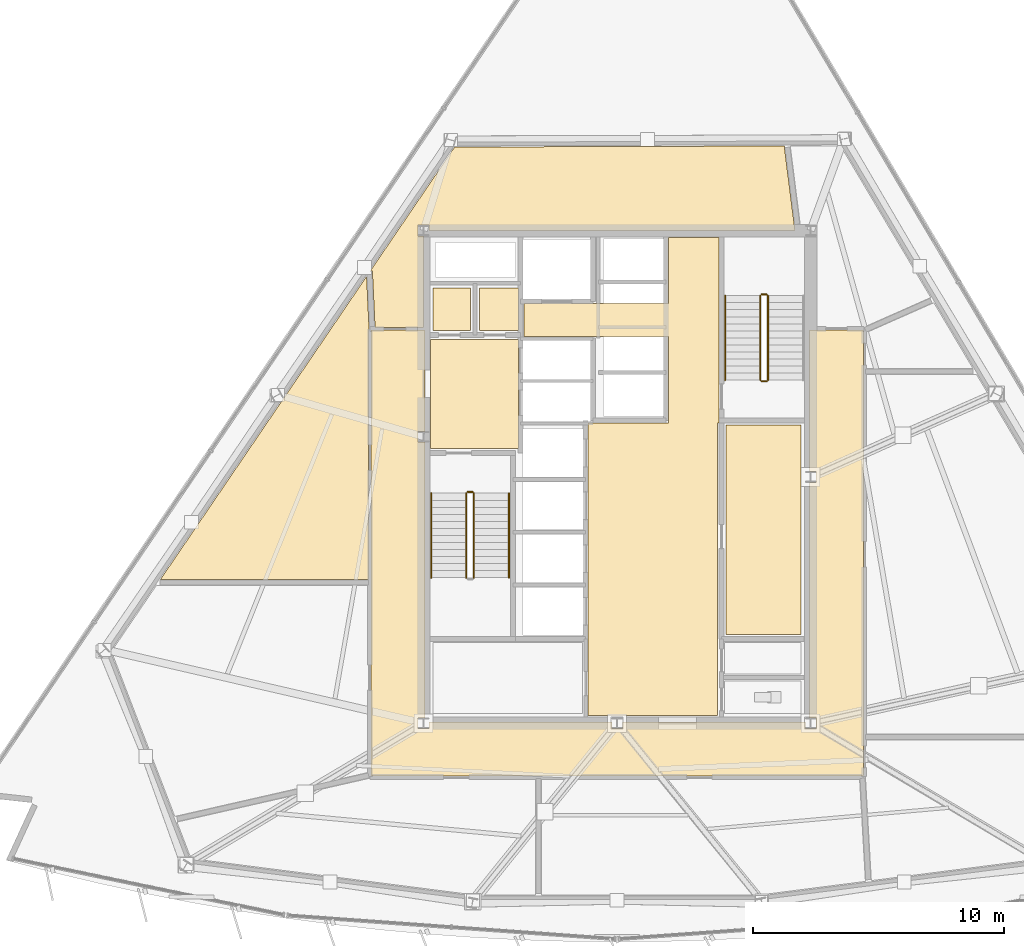
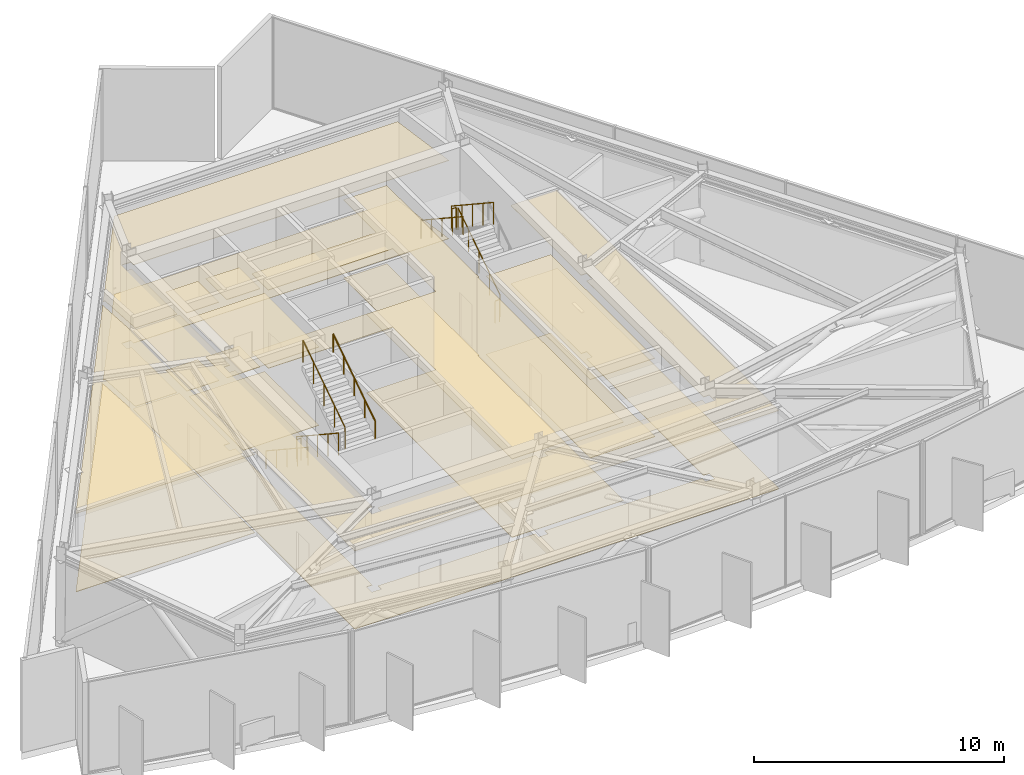
# One storey, part 12 of 14: 16 coverings, 10 railings.
"""IFC4 building model written with IfcOpenShell, lengths in metres."""

from ifc_helpers import new_model, si_unit, direction, frame, origin, origin_2d, place, context, subcontext, project, spatial, polyline, circle, outline, extrude, material, layer, layer_set, type_object, element, save


model = new_model("IFC4")

# Units and contexts
model_context = context("Model", 3, precision=1e-05, world=origin(), true_north=direction((0.0, 1.0)))
body_context = subcontext(model_context, "Body", "Model", "MODEL_VIEW")
ifc_project = project(units=[si_unit("LENGTHUNIT", "METRE"), si_unit("AREAUNIT", "SQUARE_METRE"), si_unit("VOLUMEUNIT", "CUBIC_METRE"), si_unit("PLANEANGLEUNIT", "RADIAN"), si_unit("MASSUNIT", "GRAM", prefix="KILO")], contexts=[model_context])

# Site, building, storey
site_placement = place(None, origin())
site = spatial("IfcSite", under=ifc_project, at=site_placement, CompositionType="ELEMENT")
building_placement = place(site_placement, origin())
building = spatial("IfcBuilding", under=site, at=building_placement, Name="Savorim Split Tower", CompositionType="ELEMENT")
storey_placement = place(building_placement, frame((0.0, 0.0, 185.39990234375)))
storey = spatial("IfcBuildingStorey", under=building, at=storey_placement, Name="L49", CompositionType="ELEMENT", Elevation=185.39990234375)

# Coverings
ifc_material_1 = material(Name="Mineral Fibre Acoustic Ceiling")
ifc_layer_1 = layer(ifc_material_1, 0.02490234375)
ifc_layer_set_1 = layer_set([ifc_layer_1], Name="COV-CEIL-25")
covering_type_1 = type_object("IfcCoveringType", Name="COV-CEIL-25", PredefinedType="CEILING", material=ifc_layer_set_1)
covering_1_placement = place(storey_placement, frame((0.0, 0.0, 3.820068359375)))
element("IfcCovering", 1, at=covering_1_placement, inside=storey, type_object=covering_type_1, Name="L49 Firefighting Lift Lobby Acoustic Ceiling", PredefinedType="CEILING", context=body_context, shape_type="SweptSolid", body=[
    extrude(outline(polyline([(-7.429931640625, 5.8701171875), (-7.429931640625, 1.530029296875), (-3.929931640625, 1.530029296875), (-3.929931640625, 5.8701171875), (-7.429931640625, 5.8701171875)])), origin(), (0.0, 0.0, 1.0), 0.025146484375),
])
covering_2_placement = place(storey_placement, frame((0.0, 0.0, 3.820068359375)))
element("IfcCovering", 2, at=covering_2_placement, inside=storey, type_object=covering_type_1, Name="L49 Electrical Riser Acoustic Ceiling", PredefinedType="CEILING", context=body_context, shape_type="SweptSolid", body=[
    extrude(outline(polyline([(-7.320068359375, 7.919921875), (-7.320068359375, 6.22998046875), (-5.830078125, 6.22998046875), (-5.830078125, 7.919921875), (-7.320068359375, 7.919921875)])), origin(), (0.0, 0.0, 1.0), 0.025146484375),
])
covering_3_placement = place(storey_placement, frame((0.0, 0.0, 3.820068359375)))
element("IfcCovering", 3, at=covering_3_placement, inside=storey, type_object=covering_type_1, Name="L49 Telecom Riser Acoustic Ceiling", PredefinedType="CEILING", context=body_context, shape_type="SweptSolid", body=[
    extrude(outline(polyline([(-5.469970703125, 7.919921875), (-5.469970703125, 6.22998046875), (-3.929931640625, 6.22998046875), (-3.929931640625, 7.919921875), (-5.469970703125, 7.919921875)])), origin(), (0.0, 0.0, 1.0), 0.025146484375),
])
covering_4_placement = place(storey_placement, frame((0.0, 0.0, 3.820068359375)))
element("IfcCovering", 4, at=covering_4_placement, inside=storey, type_object=covering_type_1, Name="L49 Lift Lobby Acoustic Ceiling", PredefinedType="CEILING", context=body_context, shape_type="SweptSolid", body=[
    extrude(outline(polyline([(2.050048828125, 2.550048828125), (-1.14990234375, 2.550048828125), (-1.14990234375, -9.10009765625), (4.0, -9.10009765625), (4.0, 2.550048828125), (4.050048828125, 2.550048828125), (4.050048828125, 5.97998046875), (4.050048828125, 7.300048828125), (4.050048828125, 9.929931640625), (2.050048828125, 9.929931640625), (2.050048828125, 7.300048828125), (-3.699951171875, 7.300048828125), (-3.699951171875, 5.97998046875), (2.050048828125, 5.97998046875), (2.050048828125, 2.550048828125)])), origin(), (0.0, 0.0, 1.0), 0.025146484375),
])
covering_5_placement = place(storey_placement, frame((0.0, 0.0, 3.820068359375)))
element("IfcCovering", 5, at=covering_5_placement, inside=storey, type_object=covering_type_1, Name="L49 Booster Transfer Plant Room Acoustic Ceiling", PredefinedType="CEILING", context=body_context, shape_type="SweptSolid", body=[
    extrude(outline(polyline([(4.330078125, 2.469970703125), (4.330078125, -5.8701171875), (7.320068359375, -5.8701171875), (7.320068359375, 2.469970703125), (4.330078125, 2.469970703125)])), origin(), (0.0, 0.0, 1.0), 0.025146484375),
])
covering_6_placement = place(storey_placement, frame((0.0, 0.0, 3.820068359375)))
element("IfcCovering", 6, at=covering_6_placement, inside=storey, type_object=covering_type_1, Name="L49 Plant Corridor Acoustic Ceiling", PredefinedType="CEILING", context=body_context, shape_type="SweptSolid", body=[
    extrude(outline(polyline([(7.912109375, 0.1865234375), (7.64990234375, 0.1865234375), (7.64990234375, -9.1865234375), (7.912109375, -9.1865234375), (7.912109375, -9.613525390625), (7.488037109375, -9.613525390625), (7.488037109375, -9.35009765625), (0.2119140625, -9.35009765625), (0.2119140625, -9.613525390625), (-0.2119140625, -9.613525390625), (-0.2119140625, -9.35009765625), (-7.488037109375, -9.35009765625), (-7.488037109375, -9.613525390625), (-7.912109375, -9.613525390625), (-7.912109375, -9.1865234375), (-7.64990234375, -9.1865234375), (-7.64990234375, 1.78662109375), (-7.912109375, 1.78662109375), (-7.912109375, 2.21337890625), (-7.64990234375, 2.21337890625), (-7.64990234375, 6.199951171875), (-7.650146484375, 6.204833984375), (-7.65087890625, 6.209716796875), (-7.652099609375, 6.214599609375), (-7.65380859375, 6.218994140625), (-7.656005859375, 6.2236328125), (-7.658447265625, 6.227783203125), (-7.661376953125, 6.231689453125), (-7.66455078125, 6.2353515625), (-7.668212890625, 6.23876953125), (-7.672119140625, 6.24169921875), (-7.676513671875, 6.244140625), (-7.680908203125, 6.24609375), (-7.685546875, 6.247802734375), (-7.690185546875, 6.2490234375), (-7.695068359375, 6.249755859375), (-7.699951171875, 6.25), (-9.75, 6.25), (-9.7548828125, 6.249755859375), (-9.759765625, 6.2490234375), (-9.764404296875, 6.247802734375), (-9.76904296875, 6.24609375), (-9.773681640625, 6.244140625), (-9.77783203125, 6.24169921875), (-9.78173828125, 6.23876953125), (-9.785400390625, 6.2353515625), (-9.788818359375, 6.231689453125), (-9.79150390625, 6.227783203125), (-9.794189453125, 6.2236328125), (-9.796142578125, 6.218994140625), (-9.7978515625, 6.214599609375), (-9.799072265625, 6.209716796875), (-9.7998046875, 6.204833984375), (-9.800048828125, 6.199951171875), (-9.800048828125, -11.449951171875), (-9.7998046875, -11.454833984375), (-9.799072265625, -11.459716796875), (-9.7978515625, -11.464599609375), (-9.796142578125, -11.468994140625), (-9.794189453125, -11.4736328125), (-9.79150390625, -11.477783203125), (-9.788818359375, -11.481689453125), (-9.785400390625, -11.4853515625), (-9.78173828125, -11.48876953125), (-9.77783203125, -11.49169921875), (-9.773681640625, -11.494140625), (-9.76904296875, -11.49609375), (-9.764404296875, -11.497802734375), (-9.759765625, -11.4990234375), (-9.7548828125, -11.499755859375), (-9.75, -11.5), (9.75, -11.5), (9.7548828125, -11.499755859375), (9.759765625, -11.4990234375), (9.764404296875, -11.497802734375), (9.76904296875, -11.49609375), (9.773681640625, -11.494140625), (9.77783203125, -11.49169921875), (9.78173828125, -11.48876953125), (9.785400390625, -11.4853515625), (9.788818359375, -11.481689453125), (9.79150390625, -11.477783203125), (9.794189453125, -11.4736328125), (9.796142578125, -11.468994140625), (9.7978515625, -11.464599609375), (9.799072265625, -11.459716796875), (9.7998046875, -11.454833984375), (9.800048828125, -11.449951171875), (9.800048828125, 6.199951171875), (9.7998046875, 6.204833984375), (9.799072265625, 6.209716796875), (9.7978515625, 6.214599609375), (9.796142578125, 6.218994140625), (9.794189453125, 6.2236328125), (9.79150390625, 6.227783203125), (9.788818359375, 6.231689453125), (9.785400390625, 6.2353515625), (9.78173828125, 6.23876953125), (9.77783203125, 6.24169921875), (9.773681640625, 6.244140625), (9.76904296875, 6.24609375), (9.764404296875, 6.247802734375), (9.759765625, 6.2490234375), (9.7548828125, 6.249755859375), (9.75, 6.25), (7.699951171875, 6.25), (7.695068359375, 6.249755859375), (7.690185546875, 6.2490234375), (7.685546875, 6.247802734375), (7.680908203125, 6.24609375), (7.676513671875, 6.244140625), (7.672119140625, 6.24169921875), (7.668212890625, 6.23876953125), (7.66455078125, 6.2353515625), (7.661376953125, 6.231689453125), (7.658447265625, 6.227783203125), (7.656005859375, 6.2236328125), (7.65380859375, 6.218994140625), (7.652099609375, 6.214599609375), (7.65087890625, 6.209716796875), (7.650146484375, 6.204833984375), (7.64990234375, 6.199951171875), (7.64990234375, 0.613525390625), (7.912109375, 0.613525390625), (7.912109375, 0.1865234375)])), origin(), (0.0, 0.0, 1.0), 0.025146484375),
])
covering_7_placement = place(storey_placement, frame((0.0, 0.0, 3.820068359375)))
element("IfcCovering", 7, at=covering_7_placement, inside=storey, type_object=covering_type_1, Name="L49 AHU Mechanical Plant Room 1 Acoustic Ceiling", PredefinedType="CEILING", context=body_context, shape_type="SweptSolid", body=[
    extrude(outline(polyline([(-9.87353515625, 6.26611328125), (-9.8671875, 6.276611328125), (-9.966796875, 8.376220703125), (-13.290283203125, 3.490478515625), (-13.31298828125, 3.45751953125), (-13.31298828125, 3.444580078125), (-13.32177734375, 3.444580078125), (-18.16357421875, -3.673095703125), (-9.889892578125, -3.673095703125), (-9.889892578125, 6.199951171875), (-9.889404296875, 6.213623046875), (-9.88720703125, 6.227294921875), (-9.884033203125, 6.240478515625), (-9.87939453125, 6.253662109375), (-9.87353515625, 6.26611328125)])), origin(), (0.0, 0.0, 1.0), 0.025146484375),
])
covering_8_placement = place(storey_placement, frame((0.0, 0.0, 3.820068359375)))
element("IfcCovering", 8, at=covering_8_placement, inside=storey, type_object=covering_type_1, Name="L49 Booster Pump Plant Room 1 Acoustic Ceiling", PredefinedType="CEILING", context=body_context, shape_type="SweptSolid", body=[
    extrude(outline(polyline([(6.6572265625, 13.5), (6.64892578125, 13.564697265625), (-6.465087890625, 13.523681640625), (-9.82861328125, 8.579345703125), (-9.736328125, 8.583740234375), (-9.630126953125, 6.345703125), (-9.6298828125, 6.340087890625), (-7.699951171875, 6.340087890625), (-7.699951171875, 9.986572265625), (-7.912109375, 9.986572265625), (-7.912109375, 10.41357421875), (-7.488037109375, 10.41357421875), (-7.488037109375, 10.199951171875), (7.07568359375, 10.199951171875), (6.6572265625, 13.5)])), origin(), (0.0, 0.0, 1.0), 0.025146484375),
])
ifc_material_2 = material(Name="Porcelain Stoneware Flooring", Category="masonry")
ifc_layer_2 = layer(ifc_material_2, 0.02001953125)
ifc_layer_set_2 = layer_set([ifc_layer_2], Name="COV-FLOR-20")
covering_type_2 = type_object("IfcCoveringType", Name="COV-FLOR-20", PredefinedType="FLOORING", material=ifc_layer_set_2)
covering_9_placement = place(storey_placement, origin())
element("IfcCovering", 9, at=covering_9_placement, inside=storey, type_object=covering_type_2, Name="L49 Firefighting Lift Lobby Porcelain Flooring", PredefinedType="FLOORING", context=body_context, shape_type="SweptSolid", body=[
    extrude(outline(polyline([(-7.429931640625, 5.8701171875), (-7.429931640625, 1.530029296875), (-3.929931640625, 1.530029296875), (-3.929931640625, 5.8701171875), (-7.429931640625, 5.8701171875)])), origin(), (0.0, 0.0, 1.0), 0.02001953125),
])
covering_10_placement = place(storey_placement, origin())
element("IfcCovering", 10, at=covering_10_placement, inside=storey, type_object=covering_type_2, Name="L49 Electrical Riser Porcelain Flooring", PredefinedType="FLOORING", context=body_context, shape_type="SweptSolid", body=[
    extrude(outline(polyline([(-7.320068359375, 7.919921875), (-7.320068359375, 6.22998046875), (-5.830078125, 6.22998046875), (-5.830078125, 7.919921875), (-7.320068359375, 7.919921875)])), origin(), (0.0, 0.0, 1.0), 0.02001953125),
])
covering_11_placement = place(storey_placement, origin())
element("IfcCovering", 11, at=covering_11_placement, inside=storey, type_object=covering_type_2, Name="L49 Telecom Riser Porcelain Flooring", PredefinedType="FLOORING", context=body_context, shape_type="SweptSolid", body=[
    extrude(outline(polyline([(-5.469970703125, 7.919921875), (-5.469970703125, 6.22998046875), (-3.929931640625, 6.22998046875), (-3.929931640625, 7.919921875), (-5.469970703125, 7.919921875)])), origin(), (0.0, 0.0, 1.0), 0.02001953125),
])
covering_12_placement = place(storey_placement, origin())
element("IfcCovering", 12, at=covering_12_placement, inside=storey, type_object=covering_type_2, Name="L49 Lift Lobby Porcelain Flooring", PredefinedType="FLOORING", context=body_context, shape_type="SweptSolid", body=[
    extrude(outline(polyline([(2.050048828125, 2.550048828125), (-1.14990234375, 2.550048828125), (-1.14990234375, -9.10009765625), (4.0, -9.10009765625), (4.0, 2.550048828125), (4.050048828125, 2.550048828125), (4.050048828125, 5.97998046875), (4.050048828125, 7.300048828125), (4.050048828125, 9.929931640625), (2.050048828125, 9.929931640625), (2.050048828125, 7.300048828125), (-3.699951171875, 7.300048828125), (-3.699951171875, 5.97998046875), (2.050048828125, 5.97998046875), (2.050048828125, 2.550048828125)])), origin(), (0.0, 0.0, 1.0), 0.02001953125),
])
covering_13_placement = place(storey_placement, origin())
element("IfcCovering", 13, at=covering_13_placement, inside=storey, type_object=covering_type_2, Name="L49 Booster Transfer Plant Room Porcelain Flooring", PredefinedType="FLOORING", context=body_context, shape_type="SweptSolid", body=[
    extrude(outline(polyline([(4.330078125, 2.469970703125), (4.330078125, -5.8701171875), (7.320068359375, -5.8701171875), (7.320068359375, 2.469970703125), (4.330078125, 2.469970703125)])), origin(), (0.0, 0.0, 1.0), 0.02001953125),
])
covering_14_placement = place(storey_placement, origin())
element("IfcCovering", 14, at=covering_14_placement, inside=storey, type_object=covering_type_2, Name="L49 Plant Corridor Porcelain Flooring", PredefinedType="FLOORING", context=body_context, shape_type="SweptSolid", body=[
    extrude(outline(polyline([(7.912109375, 0.1865234375), (7.64990234375, 0.1865234375), (7.64990234375, -9.1865234375), (7.912109375, -9.1865234375), (7.912109375, -9.613525390625), (7.488037109375, -9.613525390625), (7.488037109375, -9.35009765625), (0.2119140625, -9.35009765625), (0.2119140625, -9.613525390625), (-0.2119140625, -9.613525390625), (-0.2119140625, -9.35009765625), (-7.488037109375, -9.35009765625), (-7.488037109375, -9.613525390625), (-7.912109375, -9.613525390625), (-7.912109375, -9.1865234375), (-7.64990234375, -9.1865234375), (-7.64990234375, 1.78662109375), (-7.912109375, 1.78662109375), (-7.912109375, 2.21337890625), (-7.64990234375, 2.21337890625), (-7.64990234375, 6.199951171875), (-7.650146484375, 6.204833984375), (-7.65087890625, 6.209716796875), (-7.652099609375, 6.214599609375), (-7.65380859375, 6.218994140625), (-7.656005859375, 6.2236328125), (-7.658447265625, 6.227783203125), (-7.661376953125, 6.231689453125), (-7.66455078125, 6.2353515625), (-7.668212890625, 6.23876953125), (-7.672119140625, 6.24169921875), (-7.676513671875, 6.244140625), (-7.680908203125, 6.24609375), (-7.685546875, 6.247802734375), (-7.690185546875, 6.2490234375), (-7.695068359375, 6.249755859375), (-7.699951171875, 6.25), (-9.75, 6.25), (-9.7548828125, 6.249755859375), (-9.759765625, 6.2490234375), (-9.764404296875, 6.247802734375), (-9.76904296875, 6.24609375), (-9.773681640625, 6.244140625), (-9.77783203125, 6.24169921875), (-9.78173828125, 6.23876953125), (-9.785400390625, 6.2353515625), (-9.788818359375, 6.231689453125), (-9.79150390625, 6.227783203125), (-9.794189453125, 6.2236328125), (-9.796142578125, 6.218994140625), (-9.7978515625, 6.214599609375), (-9.799072265625, 6.209716796875), (-9.7998046875, 6.204833984375), (-9.800048828125, 6.199951171875), (-9.800048828125, -11.449951171875), (-9.7998046875, -11.454833984375), (-9.799072265625, -11.459716796875), (-9.7978515625, -11.464599609375), (-9.796142578125, -11.468994140625), (-9.794189453125, -11.4736328125), (-9.79150390625, -11.477783203125), (-9.788818359375, -11.481689453125), (-9.785400390625, -11.4853515625), (-9.78173828125, -11.48876953125), (-9.77783203125, -11.49169921875), (-9.773681640625, -11.494140625), (-9.76904296875, -11.49609375), (-9.764404296875, -11.497802734375), (-9.759765625, -11.4990234375), (-9.7548828125, -11.499755859375), (-9.75, -11.5), (9.75, -11.5), (9.7548828125, -11.499755859375), (9.759765625, -11.4990234375), (9.764404296875, -11.497802734375), (9.76904296875, -11.49609375), (9.773681640625, -11.494140625), (9.77783203125, -11.49169921875), (9.78173828125, -11.48876953125), (9.785400390625, -11.4853515625), (9.788818359375, -11.481689453125), (9.79150390625, -11.477783203125), (9.794189453125, -11.4736328125), (9.796142578125, -11.468994140625), (9.7978515625, -11.464599609375), (9.799072265625, -11.459716796875), (9.7998046875, -11.454833984375), (9.800048828125, -11.449951171875), (9.800048828125, 6.199951171875), (9.7998046875, 6.204833984375), (9.799072265625, 6.209716796875), (9.7978515625, 6.214599609375), (9.796142578125, 6.218994140625), (9.794189453125, 6.2236328125), (9.79150390625, 6.227783203125), (9.788818359375, 6.231689453125), (9.785400390625, 6.2353515625), (9.78173828125, 6.23876953125), (9.77783203125, 6.24169921875), (9.773681640625, 6.244140625), (9.76904296875, 6.24609375), (9.764404296875, 6.247802734375), (9.759765625, 6.2490234375), (9.7548828125, 6.249755859375), (9.75, 6.25), (7.699951171875, 6.25), (7.695068359375, 6.249755859375), (7.690185546875, 6.2490234375), (7.685546875, 6.247802734375), (7.680908203125, 6.24609375), (7.676513671875, 6.244140625), (7.672119140625, 6.24169921875), (7.668212890625, 6.23876953125), (7.66455078125, 6.2353515625), (7.661376953125, 6.231689453125), (7.658447265625, 6.227783203125), (7.656005859375, 6.2236328125), (7.65380859375, 6.218994140625), (7.652099609375, 6.214599609375), (7.65087890625, 6.209716796875), (7.650146484375, 6.204833984375), (7.64990234375, 6.199951171875), (7.64990234375, 0.613525390625), (7.912109375, 0.613525390625), (7.912109375, 0.1865234375)])), origin(), (0.0, 0.0, 1.0), 0.02001953125),
])
covering_15_placement = place(storey_placement, origin())
element("IfcCovering", 15, at=covering_15_placement, inside=storey, type_object=covering_type_2, Name="L49 AHU Mechanical Plant Room 1 Porcelain Flooring", PredefinedType="FLOORING", context=body_context, shape_type="SweptSolid", body=[
    extrude(outline(polyline([(-9.87353515625, 6.26611328125), (-9.8671875, 6.276611328125), (-9.966796875, 8.376220703125), (-13.290283203125, 3.490478515625), (-13.31298828125, 3.45751953125), (-13.31298828125, 3.444580078125), (-13.32177734375, 3.444580078125), (-18.16357421875, -3.673095703125), (-9.889892578125, -3.673095703125), (-9.889892578125, 6.199951171875), (-9.889404296875, 6.213623046875), (-9.88720703125, 6.227294921875), (-9.884033203125, 6.240478515625), (-9.87939453125, 6.253662109375), (-9.87353515625, 6.26611328125)])), origin(), (0.0, 0.0, 1.0), 0.02001953125),
])
covering_16_placement = place(storey_placement, origin())
element("IfcCovering", 16, at=covering_16_placement, inside=storey, type_object=covering_type_2, Name="L49 Booster Pump Plant Room 1 Porcelain Flooring", PredefinedType="FLOORING", context=body_context, shape_type="SweptSolid", body=[
    extrude(outline(polyline([(6.6572265625, 13.5), (6.64892578125, 13.564697265625), (-6.465087890625, 13.523681640625), (-9.82861328125, 8.579345703125), (-9.736328125, 8.583740234375), (-9.630126953125, 6.345703125), (-9.6298828125, 6.340087890625), (-7.699951171875, 6.340087890625), (-7.699951171875, 9.986572265625), (-7.912109375, 9.986572265625), (-7.912109375, 10.41357421875), (-7.488037109375, 10.41357421875), (-7.488037109375, 10.199951171875), (7.07568359375, 10.199951171875), (6.6572265625, 13.5)])), origin(), (0.0, 0.0, 1.0), 0.02001953125),
])

# Railings
ifc_material_3 = material(Name="Galvanised Painted Steel Balustrade", Category="steel")
railing_type_1 = type_object("IfcRailingType", Name="RLG-HR-900", PredefinedType="HANDRAIL", material=ifc_material_3)
railing_1_placement = place(storey_placement, frame((-7.39990234375, -0.25, 0.184814453125)))
element("IfcRailing", 17, at=railing_1_placement, inside=storey, type_object=railing_type_1, Name="L49 ST-1 stair handrail 1", PredefinedType="HANDRAIL", context=body_context, shape_type="SweptSolid", body=[
    extrude(circle(Radius=0.02392578125, at=origin_2d()), frame((0.0, 0.0, 0.8759765625), z_axis=(0.0, -0.834876476806, 0.550437342915), x_axis=(1.0, 0.0, 0.0)), (0.0, 0.0, 1.0), 4.024658203125),
    extrude(circle(Radius=0.02099609375, at=origin_2d()), origin(), (0.0, 0.0, 1.0), 0.851806640625),
    extrude(circle(Radius=0.02099609375, at=origin_2d()), frame((0.0, -0.840087890625, 0.5537109375)), (0.0, 0.0, 1.0), 0.851806640625),
    extrude(circle(Radius=0.02099609375, at=origin_2d()), frame((0.0, -1.68017578125, 1.107666015625)), (0.0, 0.0, 1.0), 0.851806640625),
    extrude(circle(Radius=0.02099609375, at=origin_2d()), frame((0.0, -2.52001953125, 1.66162109375)), (0.0, 0.0, 1.0), 0.851806640625),
    extrude(circle(Radius=0.02099609375, at=origin_2d()), frame((0.0, -3.360107421875, 2.21533203125)), (0.0, 0.0, 1.0), 0.851806640625),
])
railing_2_placement = place(storey_placement, frame((-4.300048828125, -3.610107421875, 2.584716796875)))
element("IfcRailing", 18, at=railing_2_placement, inside=storey, type_object=railing_type_1, Name="L49 ST-1 stair handrail 2", PredefinedType="HANDRAIL", context=body_context, shape_type="SweptSolid", body=[
    extrude(circle(Radius=0.02392578125, at=origin_2d()), frame((0.0, 0.0, 0.8759765625), z_axis=(0.0, 0.834876476806, 0.550437342915), x_axis=(-1.0, 0.0, 0.0)), (0.0, 0.0, 1.0), 4.024658203125),
    extrude(circle(Radius=0.02099609375, at=origin_2d()), origin(), (0.0, 0.0, 1.0), 0.851806640625),
    extrude(circle(Radius=0.02099609375, at=origin_2d()), frame((0.0, 0.840087890625, 0.5537109375)), (0.0, 0.0, 1.0), 0.851806640625),
    extrude(circle(Radius=0.02099609375, at=origin_2d()), frame((0.0, 1.68017578125, 1.107666015625)), (0.0, 0.0, 1.0), 0.851806640625),
    extrude(circle(Radius=0.02099609375, at=origin_2d()), frame((0.0, 2.52001953125, 1.66162109375)), (0.0, 0.0, 1.0), 0.851806640625),
    extrude(circle(Radius=0.02099609375, at=origin_2d()), frame((0.0, 3.360107421875, 2.21533203125)), (0.0, 0.0, 1.0), 0.851806640625),
])
railing_3_placement = place(storey_placement, frame((4.300048828125, 7.610107421875, 2.584716796875)))
element("IfcRailing", 19, at=railing_3_placement, inside=storey, type_object=railing_type_1, Name="L49 ST-2 stair handrail 2", PredefinedType="HANDRAIL", context=body_context, shape_type="SweptSolid", body=[
    extrude(circle(Radius=0.02392578125, at=origin_2d()), frame((0.0, 0.0, 0.8759765625), z_axis=(0.0, -0.834876476806, 0.550437342915), x_axis=(1.0, 0.0, 0.0)), (0.0, 0.0, 1.0), 4.024658203125),
    extrude(circle(Radius=0.02099609375, at=origin_2d()), origin(), (0.0, 0.0, 1.0), 0.851806640625),
    extrude(circle(Radius=0.02099609375, at=origin_2d()), frame((0.0, -0.840087890625, 0.5537109375)), (0.0, 0.0, 1.0), 0.851806640625),
    extrude(circle(Radius=0.02099609375, at=origin_2d()), frame((0.0, -1.68017578125, 1.107666015625)), (0.0, 0.0, 1.0), 0.851806640625),
    extrude(circle(Radius=0.02099609375, at=origin_2d()), frame((0.0, -2.52001953125, 1.66162109375)), (0.0, 0.0, 1.0), 0.851806640625),
    extrude(circle(Radius=0.02099609375, at=origin_2d()), frame((0.0, -3.360107421875, 2.21533203125)), (0.0, 0.0, 1.0), 0.851806640625),
])
railing_type_2 = type_object("IfcRailingType", Name="RLG-STG-1100", PredefinedType="BALUSTRADE", material=ifc_material_3)
railing_4_placement = place(storey_placement, frame((-6.0, -0.25, 0.184814453125)))
element("IfcRailing", 20, at=railing_4_placement, inside=storey, type_object=railing_type_2, Name="L49 ST-1 stair guard 1", PredefinedType="BALUSTRADE", context=body_context, shape_type="SweptSolid", body=[
    extrude(circle(Radius=0.02392578125, at=origin_2d()), frame((0.0, 0.0, 1.076171875), z_axis=(0.0, -0.834876476806, 0.550437342915), x_axis=(1.0, 0.0, 0.0)), (0.0, 0.0, 1.0), 4.024658203125),
    extrude(circle(Radius=0.02099609375, at=origin_2d()), origin(), (0.0, 0.0, 1.0), 1.052001953125),
    extrude(circle(Radius=0.02099609375, at=origin_2d()), frame((0.0, -0.840087890625, 0.5537109375)), (0.0, 0.0, 1.0), 1.052001953125),
    extrude(circle(Radius=0.02099609375, at=origin_2d()), frame((0.0, -1.68017578125, 1.107666015625)), (0.0, 0.0, 1.0), 1.052001953125),
    extrude(circle(Radius=0.02099609375, at=origin_2d()), frame((0.0, -2.52001953125, 1.66162109375)), (0.0, 0.0, 1.0), 1.052001953125),
    extrude(circle(Radius=0.02099609375, at=origin_2d()), frame((0.0, -3.360107421875, 2.21533203125)), (0.0, 0.0, 1.0), 1.052001953125),
])
railing_5_placement = place(storey_placement, frame((-5.699951171875, -3.610107421875, 2.584716796875)))
element("IfcRailing", 21, at=railing_5_placement, inside=storey, type_object=railing_type_2, Name="L49 ST-1 stair guard 3", PredefinedType="BALUSTRADE", context=body_context, shape_type="SweptSolid", body=[
    extrude(circle(Radius=0.02392578125, at=origin_2d()), frame((0.0, 0.0, 1.076171875), z_axis=(0.0, 0.834876476806, 0.550437342915), x_axis=(-1.0, 0.0, 0.0)), (0.0, 0.0, 1.0), 4.024658203125),
    extrude(circle(Radius=0.02099609375, at=origin_2d()), origin(), (0.0, 0.0, 1.0), 1.052001953125),
    extrude(circle(Radius=0.02099609375, at=origin_2d()), frame((0.0, 0.840087890625, 0.5537109375)), (0.0, 0.0, 1.0), 1.052001953125),
    extrude(circle(Radius=0.02099609375, at=origin_2d()), frame((0.0, 1.68017578125, 1.107666015625)), (0.0, 0.0, 1.0), 1.052001953125),
    extrude(circle(Radius=0.02099609375, at=origin_2d()), frame((0.0, 2.52001953125, 1.66162109375)), (0.0, 0.0, 1.0), 1.052001953125),
    extrude(circle(Radius=0.02099609375, at=origin_2d()), frame((0.0, 3.360107421875, 2.21533203125)), (0.0, 0.0, 1.0), 1.052001953125),
])
railing_6_placement = place(storey_placement, frame((-5.949951171875, -0.199951171875, 0.0)))
element("IfcRailing", 22, at=railing_6_placement, inside=storey, type_object=railing_type_2, Name="L49 ST-1 stair guard 4", PredefinedType="BALUSTRADE", context=body_context, shape_type="SweptSolid", body=[
    extrude(circle(Radius=0.02392578125, at=origin_2d()), frame((0.0, 0.0, 1.076171875), z_axis=(1.0, 0.0, 0.0), x_axis=(0.0, 1.0, 0.0)), (0.0, 0.0, 1.0), 0.199951171875),
    extrude(circle(Radius=0.02099609375, at=origin_2d()), origin(), (0.0, 0.0, 1.0), 1.052001953125),
    extrude(circle(Radius=0.02099609375, at=origin_2d()), frame((0.199951171875, 0.0, 0.0)), (0.0, 0.0, 1.0), 1.052001953125),
])
railing_7_placement = place(storey_placement, frame((6.0, 4.25, 0.184814453125)))
element("IfcRailing", 23, at=railing_7_placement, inside=storey, type_object=railing_type_2, Name="L49 ST-2 stair guard 1", PredefinedType="BALUSTRADE", context=body_context, shape_type="SweptSolid", body=[
    extrude(circle(Radius=0.02392578125, at=origin_2d()), frame((0.0, 0.0, 1.076171875), z_axis=(0.0, 0.834876476806, 0.550437342915), x_axis=(-1.0, 0.0, 0.0)), (0.0, 0.0, 1.0), 4.024658203125),
    extrude(circle(Radius=0.02099609375, at=origin_2d()), origin(), (0.0, 0.0, 1.0), 1.052001953125),
    extrude(circle(Radius=0.02099609375, at=origin_2d()), frame((0.0, 0.840087890625, 0.5537109375)), (0.0, 0.0, 1.0), 1.052001953125),
    extrude(circle(Radius=0.02099609375, at=origin_2d()), frame((0.0, 1.68017578125, 1.107666015625)), (0.0, 0.0, 1.0), 1.052001953125),
    extrude(circle(Radius=0.02099609375, at=origin_2d()), frame((0.0, 2.52001953125, 1.66162109375)), (0.0, 0.0, 1.0), 1.052001953125),
    extrude(circle(Radius=0.02099609375, at=origin_2d()), frame((0.0, 3.360107421875, 2.21533203125)), (0.0, 0.0, 1.0), 1.052001953125),
])
railing_8_placement = place(storey_placement, frame((5.949951171875, 7.659912109375, 2.400146484375)))
element("IfcRailing", 24, at=railing_8_placement, inside=storey, type_object=railing_type_2, Name="L49 ST-2 stair guard 2", PredefinedType="BALUSTRADE", context=body_context, shape_type="SweptSolid", body=[
    extrude(circle(Radius=0.02392578125, at=origin_2d()), frame((0.0, 0.0, 1.076171875), z_axis=(-1.0, 0.0, 0.0), x_axis=(0.0, -1.0, 0.0)), (0.0, 0.0, 1.0), 0.199951171875),
    extrude(circle(Radius=0.02099609375, at=origin_2d()), origin(), (0.0, 0.0, 1.0), 1.052001953125),
    extrude(circle(Radius=0.02099609375, at=origin_2d()), frame((-0.199951171875, 0.0, 0.0)), (0.0, 0.0, 1.0), 1.052001953125),
])
railing_9_placement = place(storey_placement, frame((5.699951171875, 7.610107421875, 2.584716796875)))
element("IfcRailing", 25, at=railing_9_placement, inside=storey, type_object=railing_type_2, Name="L49 ST-2 stair guard 3", PredefinedType="BALUSTRADE", context=body_context, shape_type="SweptSolid", body=[
    extrude(circle(Radius=0.02392578125, at=origin_2d()), frame((0.0, 0.0, 1.076171875), z_axis=(0.0, -0.834876476806, 0.550437342915), x_axis=(1.0, 0.0, 0.0)), (0.0, 0.0, 1.0), 4.024658203125),
    extrude(circle(Radius=0.02099609375, at=origin_2d()), origin(), (0.0, 0.0, 1.0), 1.052001953125),
    extrude(circle(Radius=0.02099609375, at=origin_2d()), frame((0.0, -0.840087890625, 0.5537109375)), (0.0, 0.0, 1.0), 1.052001953125),
    extrude(circle(Radius=0.02099609375, at=origin_2d()), frame((0.0, -1.68017578125, 1.107666015625)), (0.0, 0.0, 1.0), 1.052001953125),
    extrude(circle(Radius=0.02099609375, at=origin_2d()), frame((0.0, -2.52001953125, 1.66162109375)), (0.0, 0.0, 1.0), 1.052001953125),
    extrude(circle(Radius=0.02099609375, at=origin_2d()), frame((0.0, -3.360107421875, 2.21533203125)), (0.0, 0.0, 1.0), 1.052001953125),
])
railing_10_placement = place(storey_placement, frame((5.949951171875, 4.199951171875, 0.0)))
element("IfcRailing", 26, at=railing_10_placement, inside=storey, type_object=railing_type_2, Name="L49 ST-2 stair guard 4", PredefinedType="BALUSTRADE", context=body_context, shape_type="SweptSolid", body=[
    extrude(circle(Radius=0.02392578125, at=origin_2d()), frame((0.0, 0.0, 1.076171875), z_axis=(-1.0, 0.0, 0.0), x_axis=(0.0, -1.0, 0.0)), (0.0, 0.0, 1.0), 0.199951171875),
    extrude(circle(Radius=0.02099609375, at=origin_2d()), origin(), (0.0, 0.0, 1.0), 1.052001953125),
    extrude(circle(Radius=0.02099609375, at=origin_2d()), frame((-0.199951171875, 0.0, 0.0)), (0.0, 0.0, 1.0), 1.052001953125),
])

save(model, "model.ifc")
